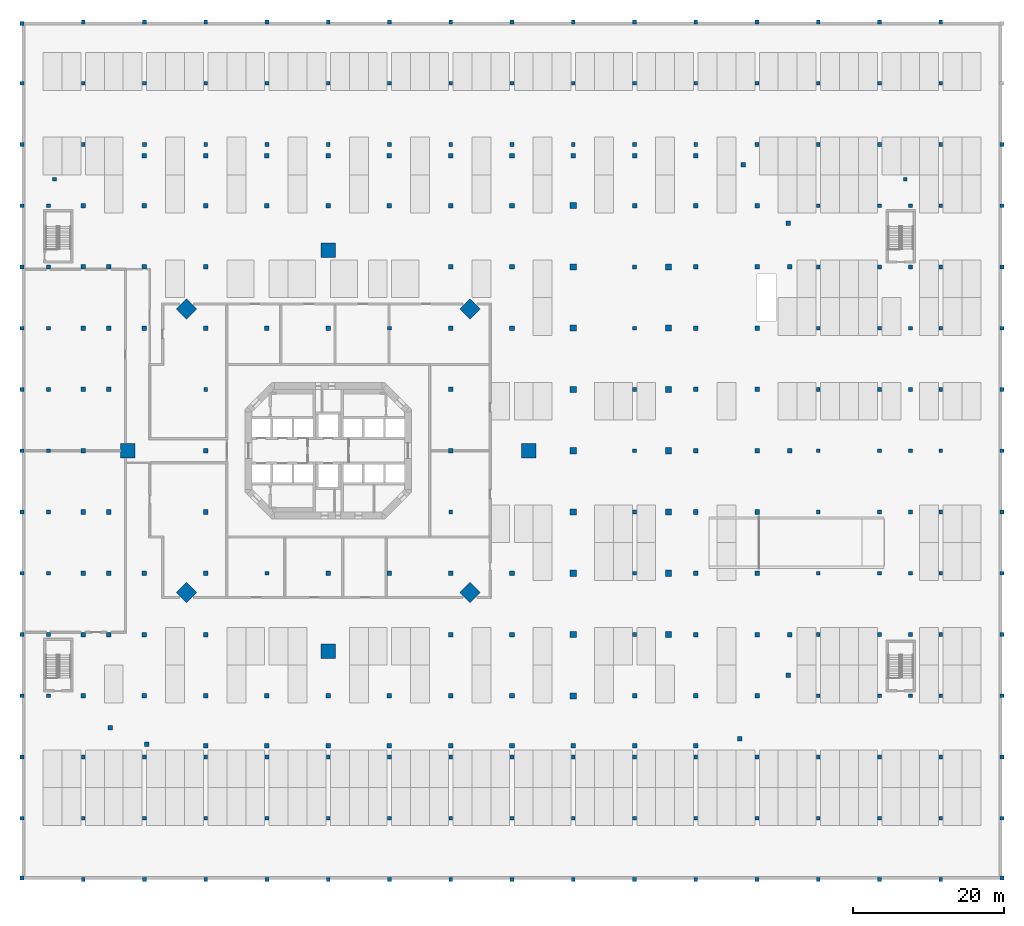
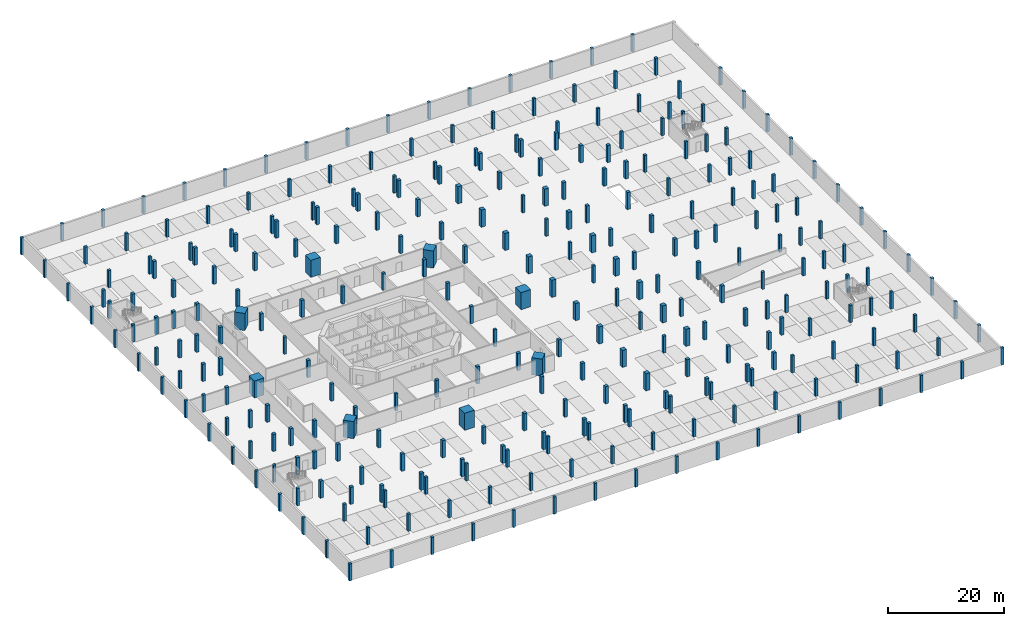
# One storey, part 1 of 14: 301 columns.
"""IFC4 building model written with IfcOpenShell, lengths in metres."""

from ifc_helpers import new_model, si_unit, direction, frame, origin, origin_2d, place, context, subcontext, project, spatial, rectangle, extrude, material, material_profile, profile_set, type_object, element, save


model = new_model("IFC4")

# Units and contexts
model_context = context("Model", 3, precision=1e-05, world=origin(), true_north=direction((0.0, 1.0)))
body_context = subcontext(model_context, "Body", "Model", "MODEL_VIEW")
ifc_project = project(units=[si_unit("LENGTHUNIT", "METRE"), si_unit("AREAUNIT", "SQUARE_METRE"), si_unit("VOLUMEUNIT", "CUBIC_METRE"), si_unit("PLANEANGLEUNIT", "RADIAN"), si_unit("MASSUNIT", "GRAM", prefix="KILO")], contexts=[model_context])

# Site, building, storey
site_placement = place(None, origin())
site = spatial("IfcSite", under=ifc_project, at=site_placement, CompositionType="ELEMENT")
building_placement = place(site_placement, origin())
building = spatial("IfcBuilding", under=site, at=building_placement, Name="Torre Triforio", CompositionType="ELEMENT")
storey_placement = place(building_placement, frame((0.0, 0.0, -7.199951171875)))
storey = spatial("IfcBuildingStorey", under=building, at=storey_placement, Name="B2", CompositionType="ELEMENT", Elevation=-7.199951171875)

# Columns
ifc_material_1 = material(Name="Concrete C50", Category="concrete")
ifc_material_profile_1 = material_profile(ifc_material_1, rectangle(XDim=0.5, YDim=0.5, at=origin_2d()), Name="RC 500x500")
ifc_profile_set_1 = profile_set([ifc_material_profile_1], Name="Concrete C50")
column_type_1 = type_object("IfcColumnType", Name="Column RC 500x500 C50", PredefinedType="COLUMN", material=ifc_profile_set_1)
for number, where, z_axis, x_axis, name in (
    (1, (-40.5, -56.5, 0.0), (0.0, 0.0, 1.0), (1.0, 0.0, 0.0), "COL.G.B2.1-A"),
    (2, (-40.5, -48.60009765625, 0.0), (0.0, 0.0, 1.0), (1.0, 0.0, 0.0), "COL.G.B2.1-B"),
    (3, (-40.5, -40.5, 0.0), (0.0, 0.0, 1.0), (1.0, 0.0, 0.0), "COL.G.B2.1-C"),
    (4, (-40.5, -32.39990234375, 0.0), (0.0, 0.0, 1.0), (1.0, 0.0, 0.0), "COL.G.B2.1-D"),
    (5, (-40.5, -24.300048828125, 0.0), (0.0, 0.0, 1.0), (1.0, 0.0, 0.0), "COL.G.B2.1-E"),
    (6, (-40.5, -16.199951171875, 0.0), (0.0, 0.0, 1.0), (1.0, 0.0, 0.0), "COL.G.B2.1-F"),
    (7, (-40.5, -8.10009765625, 0.0), (0.0, 0.0, 1.0), (1.0, 0.0, 0.0), "COL.G.B2.1-G"),
    (8, (-40.5, 0.0, 0.0), (0.0, 0.0, 1.0), (1.0, 0.0, 0.0), "COL.G.B2.1-H"),
    (9, (-40.5, 8.10009765625, 0.0), (0.0, 0.0, 1.0), (1.0, 0.0, 0.0), "COL.G.B2.1-I"),
    (10, (-40.5, 16.199951171875, 0.0), (0.0, 0.0, 1.0), (1.0, 0.0, 0.0), "COL.G.B2.1-J"),
    (11, (-40.5, 24.300048828125, 0.0), (0.0, 0.0, 1.0), (1.0, 0.0, 0.0), "COL.G.B2.1-K"),
    (12, (-40.5, 32.39990234375, 0.0), (0.0, 0.0, 1.0), (1.0, 0.0, 0.0), "COL.G.B2.1-L"),
    (13, (-40.5, 40.5, 0.0), (0.0, 0.0, 1.0), (1.0, 0.0, 0.0), "COL.G.B2.1-M"),
    (14, (-40.5, 48.60009765625, 0.0), (0.0, 0.0, 1.0), (1.0, 0.0, 0.0), "COL.G.B2.1-N"),
    (15, (-40.5, 56.5, 0.0), (0.0, 0.0, 1.0), (1.0, 0.0, 0.0), "COL.G.B2.1-O"),
    (16, (-32.39990234375, -56.699951171875, 0.0), (0.0, 0.0, 1.0), (1.0, 0.0, 0.0), "COL.G.B2.2-A"),
    (17, (-32.39990234375, -48.60009765625, 0.0), (0.0, 0.0, 1.0), (1.0, 0.0, 0.0), "COL.G.B2.2-B"),
    (18, (-32.39990234375, -40.5, 0.0), (0.0, 0.0, 1.0), (1.0, 0.0, 0.0), "COL.G.B2.2-C"),
    (19, (-32.39990234375, 40.5, 0.0), (0.0, 0.0, 1.0), (1.0, 0.0, 0.0), "COL.G.B2.2-M"),
    (20, (-32.39990234375, 48.60009765625, 0.0), (0.0, 0.0, 1.0), (1.0, 0.0, 0.0), "COL.G.B2.2-N"),
    (21, (-32.39990234375, 56.699951171875, 0.0), (0.0, 0.0, 1.0), (1.0, 0.0, 0.0), "COL.G.B2.2-O"),
    (22, (-24.300048828125, -56.699951171875, 0.0), (0.0, 0.0, 1.0), (1.0, 0.0, 0.0), "COL.G.B2.3-A"),
    (23, (-24.300048828125, -48.60009765625, 0.0), (0.0, 0.0, 1.0), (1.0, 0.0, 0.0), "COL.G.B2.3-B"),
    (24, (-24.300048828125, -40.5, 0.0), (0.0, 0.0, 1.0), (1.0, 0.0, 0.0), "COL.G.B2.3-C"),
    (25, (-24.300048828125, 40.5, 0.0), (0.0, 0.0, 1.0), (1.0, 0.0, 0.0), "COL.G.B2.3-M"),
    (26, (-24.300048828125, 48.60009765625, 0.0), (0.0, 0.0, 1.0), (1.0, 0.0, 0.0), "COL.G.B2.3-N"),
    (27, (-24.300048828125, 56.699951171875, 0.0), (0.0, 0.0, 1.0), (1.0, 0.0, 0.0), "COL.G.B2.3-O"),
    (28, (-16.199951171875, -56.699951171875, 0.0), (0.0, 0.0, 1.0), (1.0, 0.0, 0.0), "COL.G.B2.4-A"),
    (29, (-16.199951171875, -48.60009765625, 0.0), (0.0, 0.0, 1.0), (1.0, 0.0, 0.0), "COL.G.B2.4-B"),
    (30, (-16.199951171875, -40.5, 0.0), (0.0, 0.0, 1.0), (1.0, 0.0, 0.0), "COL.G.B2.4-C"),
    (31, (-16.199951171875, 8.10009765625, 0.0), (0.0, 0.0, 1.0), (1.0, 0.0, 0.0), "COL.G.B2.4-I"),
    (32, (-16.199951171875, 40.5, 0.0), (0.0, 0.0, 1.0), (1.0, 0.0, 0.0), "COL.G.B2.4-M"),
    (33, (-16.199951171875, 48.60009765625, 0.0), (0.0, 0.0, 1.0), (1.0, 0.0, 0.0), "COL.G.B2.4-N"),
    (34, (-16.199951171875, 56.699951171875, 0.0), (0.0, 0.0, 1.0), (1.0, 0.0, 0.0), "COL.G.B2.4-O"),
    (35, (-8.10009765625, -56.699951171875, 0.0), (0.0, 0.0, 1.0), (1.0, 0.0, 0.0), "COL.G.B2.5-A"),
    (36, (-8.10009765625, -48.60009765625, 0.0), (0.0, 0.0, 1.0), (1.0, 0.0, 0.0), "COL.G.B2.5-B"),
    (37, (-8.10009765625, -40.5, 0.0), (0.0, 0.0, 1.0), (1.0, 0.0, 0.0), "COL.G.B2.5-C"),
    (38, (-8.10009765625, -16.199951171875, 0.0), (0.0, 0.0, 1.0), (1.0, 0.0, 0.0), "COL.G.B2.5-F"),
    (39, (-8.10009765625, 40.5, 0.0), (0.0, 0.0, 1.0), (1.0, 0.0, 0.0), "COL.G.B2.5-M"),
    (40, (-8.10009765625, 48.60009765625, 0.0), (0.0, 0.0, 1.0), (1.0, 0.0, 0.0), "COL.G.B2.5-N"),
    (41, (-8.10009765625, 56.699951171875, 0.0), (0.0, 0.0, 1.0), (1.0, 0.0, 0.0), "COL.G.B2.5-O"),
    (42, (0.0, -56.699951171875, 0.0), (0.0, 0.0, 1.0), (1.0, 0.0, 0.0), "COL.G.B2.6-A"),
    (43, (0.0, -48.60009765625, 0.0), (0.0, 0.0, 1.0), (1.0, 0.0, 0.0), "COL.G.B2.6-B"),
    (44, (0.0, -40.5, 0.0), (0.0, 0.0, 1.0), (1.0, 0.0, 0.0), "COL.G.B2.6-C"),
    (45, (0.0, 40.5, 0.0), (0.0, 0.0, 1.0), (1.0, 0.0, 0.0), "COL.G.B2.6-M"),
    (46, (0.0, 48.60009765625, 0.0), (0.0, 0.0, 1.0), (1.0, 0.0, 0.0), "COL.G.B2.6-N"),
    (47, (0.0, 56.699951171875, 0.0), (0.0, 0.0, 1.0), (1.0, 0.0, 0.0), "COL.G.B2.6-O"),
    (48, (8.10009765625, -56.699951171875, 0.0), (0.0, 0.0, 1.0), (1.0, 0.0, 0.0), "COL.G.B2.7-A"),
    (49, (8.10009765625, -48.60009765625, 0.0), (0.0, 0.0, 1.0), (1.0, 0.0, 0.0), "COL.G.B2.7-B"),
    (50, (8.10009765625, -40.5, 0.0), (0.0, 0.0, 1.0), (1.0, 0.0, 0.0), "COL.G.B2.7-C"),
    (51, (8.10009765625, 16.199951171875, 0.0), (0.0, 0.0, 1.0), (1.0, 0.0, 0.0), "COL.G.B2.7-J"),
    (52, (8.10009765625, 40.5, 0.0), (0.0, 0.0, 1.0), (1.0, 0.0, 0.0), "COL.G.B2.7-M"),
    (53, (8.10009765625, 48.60009765625, 0.0), (0.0, 0.0, 1.0), (1.0, 0.0, 0.0), "COL.G.B2.7-N"),
    (54, (8.10009765625, 56.699951171875, 0.0), (0.0, 0.0, 1.0), (1.0, 0.0, 0.0), "COL.G.B2.7-O"),
    (55, (16.199951171875, -56.699951171875, 0.0), (0.0, 0.0, 1.0), (1.0, 0.0, 0.0), "COL.G.B2.8-A"),
    (56, (16.199951171875, -48.60009765625, 0.0), (0.0, 0.0, 1.0), (1.0, 0.0, 0.0), "COL.G.B2.8-B"),
    (57, (16.199951171875, -40.5, 0.0), (0.0, 0.0, 1.0), (1.0, 0.0, 0.0), "COL.G.B2.8-C"),
    (58, (16.199951171875, -8.10009765625, 0.0), (0.0, 0.0, 1.0), (1.0, 0.0, 0.0), "COL.G.B2.8-G"),
    (59, (16.199951171875, 40.5, 0.0), (0.0, 0.0, 1.0), (1.0, 0.0, 0.0), "COL.G.B2.8-M"),
    (60, (16.199951171875, 48.60009765625, 0.0), (0.0, 0.0, 1.0), (1.0, 0.0, 0.0), "COL.G.B2.8-N"),
    (61, (16.199951171875, 56.699951171875, 0.0), (0.0, 0.0, 1.0), (1.0, 0.0, 0.0), "COL.G.B2.8-O"),
    (62, (24.300048828125, -56.699951171875, 0.0), (0.0, 0.0, 1.0), (1.0, 0.0, 0.0), "COL.G.B2.9-A"),
    (63, (24.300048828125, -48.60009765625, 0.0), (0.0, 0.0, 1.0), (1.0, 0.0, 0.0), "COL.G.B2.9-B"),
    (64, (24.300048828125, -40.5, 0.0), (0.0, 0.0, 1.0), (1.0, 0.0, 0.0), "COL.G.B2.9-C"),
    (65, (24.300048828125, 40.5, 0.0), (0.0, 0.0, 1.0), (1.0, 0.0, 0.0), "COL.G.B2.9-M"),
    (66, (24.300048828125, 48.60009765625, 0.0), (0.0, 0.0, 1.0), (1.0, 0.0, 0.0), "COL.G.B2.9-N"),
    (67, (24.300048828125, 56.699951171875, 0.0), (0.0, 0.0, 1.0), (1.0, 0.0, 0.0), "COL.G.B2.9-O"),
    (68, (32.39990234375, -56.699951171875, 0.0), (0.0, 0.0, 1.0), (1.0, 0.0, 0.0), "COL.G.B2.10-A"),
    (69, (32.39990234375, -48.60009765625, 0.0), (0.0, 0.0, 1.0), (1.0, 0.0, 0.0), "COL.G.B2.10-B"),
    (70, (32.39990234375, -40.5, 0.0), (0.0, 0.0, 1.0), (1.0, 0.0, 0.0), "COL.G.B2.10-C"),
    (71, (32.39990234375, 40.5, 0.0), (0.0, 0.0, 1.0), (1.0, 0.0, 0.0), "COL.G.B2.10-M"),
    (72, (32.39990234375, 48.60009765625, 0.0), (0.0, 0.0, 1.0), (1.0, 0.0, 0.0), "COL.G.B2.10-N"),
    (73, (32.39990234375, 56.699951171875, 0.0), (0.0, 0.0, 1.0), (1.0, 0.0, 0.0), "COL.G.B2.10-O"),
    (74, (40.5, -56.699951171875, 0.0), (0.0, 0.0, 1.0), (1.0, 0.0, 0.0), "COL.G.B2.11-A"),
    (75, (40.5, -48.60009765625, 0.0), (0.0, 0.0, 1.0), (1.0, 0.0, 0.0), "COL.G.B2.11-B"),
    (76, (40.5, -40.5, 0.0), (0.0, 0.0, 1.0), (1.0, 0.0, 0.0), "COL.G.B2.11-C"),
    (77, (40.5, -24.300048828125, 0.0), (0.0, 0.0, 1.0), (1.0, 0.0, 0.0), "COL.G.B2.11-E"),
    (78, (40.5, -16.199951171875, 0.0), (0.0, 0.0, 1.0), (1.0, 0.0, 0.0), "COL.G.B2.11-F"),
    (79, (40.5, -8.10009765625, 0.0), (0.0, 0.0, 1.0), (1.0, 0.0, 0.0), "COL.G.B2.11-G"),
    (80, (40.5, 0.0, 0.0), (0.0, 0.0, 1.0), (1.0, 0.0, 0.0), "COL.G.B2.11-H"),
    (81, (40.5, 8.10009765625, 0.0), (0.0, 0.0, 1.0), (1.0, 0.0, 0.0), "COL.G.B2.11-I"),
    (82, (40.5, 16.199951171875, 0.0), (0.0, 0.0, 1.0), (1.0, 0.0, 0.0), "COL.G.B2.11-J"),
    (83, (40.5, 24.300048828125, 0.0), (0.0, 0.0, 1.0), (1.0, 0.0, 0.0), "COL.G.B2.11-K"),
    (84, (40.5, 40.5, 0.0), (0.0, 0.0, 1.0), (1.0, 0.0, 0.0), "COL.G.B2.11-M"),
    (85, (40.5, 48.60009765625, 0.0), (0.0, 0.0, 1.0), (1.0, 0.0, 0.0), "COL.G.B2.11-N"),
    (86, (40.5, 56.699951171875, 0.0), (0.0, 0.0, 1.0), (1.0, 0.0, 0.0), "COL.G.B2.11-O"),
    (87, (48.60009765625, -56.699951171875, 0.0), (0.0, 0.0, 1.0), (1.0, 0.0, 0.0), "COL.G.B2.12-A"),
    (88, (48.60009765625, -48.60009765625, 0.0), (0.0, 0.0, 1.0), (1.0, 0.0, 0.0), "COL.G.B2.12-B"),
    (89, (48.60009765625, -40.5, 0.0), (0.0, 0.0, 1.0), (1.0, 0.0, 0.0), "COL.G.B2.12-C"),
    (90, (48.60009765625, 40.5, 0.0), (0.0, 0.0, 1.0), (1.0, 0.0, 0.0), "COL.G.B2.12-M"),
    (91, (48.60009765625, 48.60009765625, 0.0), (0.0, 0.0, 1.0), (1.0, 0.0, 0.0), "COL.G.B2.12-N"),
    (92, (48.60009765625, 56.699951171875, 0.0), (0.0, 0.0, 1.0), (1.0, 0.0, 0.0), "COL.G.B2.12-O"),
    (93, (56.699951171875, -56.699951171875, 0.0), (0.0, 0.0, 1.0), (1.0, 0.0, 0.0), "COL.G.B2.13-A"),
    (94, (56.699951171875, -48.60009765625, 0.0), (0.0, 0.0, 1.0), (1.0, 0.0, 0.0), "COL.G.B2.13-B"),
    (95, (56.699951171875, -40.5, 0.0), (0.0, 0.0, 1.0), (1.0, 0.0, 0.0), "COL.G.B2.13-C"),
    (96, (56.699951171875, 40.5, 0.0), (0.0, 0.0, 1.0), (1.0, 0.0, 0.0), "COL.G.B2.13-M"),
    (97, (56.699951171875, 48.60009765625, 0.0), (0.0, 0.0, 1.0), (1.0, 0.0, 0.0), "COL.G.B2.13-N"),
    (98, (56.699951171875, 56.699951171875, 0.0), (0.0, 0.0, 1.0), (1.0, 0.0, 0.0), "COL.G.B2.13-O"),
    (99, (64.800048828125, -56.699951171875, 0.0), (0.0, 0.0, 1.0), (1.0, 0.0, 0.0), "COL.G.B2.14-A"),
    (100, (64.800048828125, -48.60009765625, 0.0), (0.0, 0.0, 1.0), (1.0, 0.0, 0.0), "COL.G.B2.14-B"),
    (101, (64.800048828125, -40.5, 0.0), (0.0, 0.0, 1.0), (1.0, 0.0, 0.0), "COL.G.B2.14-C"),
    (102, (64.800048828125, -32.39990234375, 0.0), (0.0, 0.0, 1.0), (1.0, 0.0, 0.0), "COL.G.B2.14-D"),
    (103, (64.800048828125, -24.300048828125, 0.0), (0.0, 0.0, 1.0), (1.0, 0.0, 0.0), "COL.G.B2.14-E"),
    (104, (64.800048828125, -16.199951171875, 0.0), (0.0, 0.0, 1.0), (1.0, 0.0, 0.0), "COL.G.B2.14-F"),
    (105, (64.800048828125, -8.10009765625, 0.0), (0.0, 0.0, 1.0), (1.0, 0.0, 0.0), "COL.G.B2.14-G"),
    (106, (64.800048828125, 0.0, 0.0), (0.0, 0.0, 1.0), (1.0, 0.0, 0.0), "COL.G.B2.14-H"),
    (107, (64.800048828125, 8.10009765625, 0.0), (0.0, 0.0, 1.0), (1.0, 0.0, 0.0), "COL.G.B2.14-I"),
    (108, (64.800048828125, 16.199951171875, 0.0), (0.0, 0.0, 1.0), (1.0, 0.0, 0.0), "COL.G.B2.14-J"),
    (109, (64.800048828125, 24.300048828125, 0.0), (0.0, 0.0, 1.0), (1.0, 0.0, 0.0), "COL.G.B2.14-K"),
    (110, (64.800048828125, 32.39990234375, 0.0), (0.0, 0.0, 1.0), (1.0, 0.0, 0.0), "COL.G.B2.14-L"),
    (111, (64.800048828125, 40.5, 0.0), (0.0, 0.0, 1.0), (1.0, 0.0, 0.0), "COL.G.B2.14-M"),
    (112, (64.800048828125, 48.60009765625, 0.0), (0.0, 0.0, 1.0), (1.0, 0.0, 0.0), "COL.G.B2.14-N"),
    (113, (64.800048828125, 56.699951171875, 0.0), (0.0, 0.0, 1.0), (1.0, 0.0, 0.0), "COL.G.B2.14-O"),
    (114, (72.89990234375, -56.699951171875, 0.0), (0.0, 0.0, 1.0), (1.0, 0.0, 0.0), "COL.G.B2.15-A"),
    (115, (72.89990234375, -48.60009765625, 0.0), (0.0, 0.0, 1.0), (1.0, 0.0, 0.0), "COL.G.B2.15-B"),
    (116, (72.89990234375, -40.5, 0.0), (0.0, 0.0, 1.0), (1.0, 0.0, 0.0), "COL.G.B2.15-C"),
    (117, (72.89990234375, -32.39990234375, 0.0), (0.0, 0.0, 1.0), (1.0, 0.0, 0.0), "COL.G.B2.15-D"),
    (118, (72.89990234375, -24.300048828125, 0.0), (0.0, 0.0, 1.0), (1.0, 0.0, 0.0), "COL.G.B2.15-E"),
    (119, (72.89990234375, -16.199951171875, 0.0), (0.0, 0.0, 1.0), (1.0, 0.0, 0.0), "COL.G.B2.15-F"),
    (120, (72.89990234375, -8.10009765625, 0.0), (0.0, 0.0, 1.0), (1.0, 0.0, 0.0), "COL.G.B2.15-G"),
    (121, (72.89990234375, 0.0, 0.0), (0.0, 0.0, 1.0), (1.0, 0.0, 0.0), "COL.G.B2.15-H"),
    (122, (72.89990234375, 8.10009765625, 0.0), (0.0, 0.0, 1.0), (1.0, 0.0, 0.0), "COL.G.B2.15-I"),
    (123, (72.89990234375, 16.199951171875, 0.0), (0.0, 0.0, 1.0), (1.0, 0.0, 0.0), "COL.G.B2.15-J"),
    (124, (72.89990234375, 24.300048828125, 0.0), (0.0, 0.0, 1.0), (1.0, 0.0, 0.0), "COL.G.B2.15-K"),
    (125, (72.89990234375, 32.39990234375, 0.0), (0.0, 0.0, 1.0), (1.0, 0.0, 0.0), "COL.G.B2.15-L"),
    (126, (72.89990234375, 40.5, 0.0), (0.0, 0.0, 1.0), (1.0, 0.0, 0.0), "COL.G.B2.15-M"),
    (127, (72.89990234375, 48.60009765625, 0.0), (0.0, 0.0, 1.0), (1.0, 0.0, 0.0), "COL.G.B2.15-N"),
    (128, (72.89990234375, 56.699951171875, 0.0), (0.0, 0.0, 1.0), (1.0, 0.0, 0.0), "COL.G.B2.15-O"),
    (129, (81.0, -56.699951171875, 0.0), (0.0, 0.0, 1.0), (1.0, 0.0, 0.0), "COL.G.B2.16-A"),
    (130, (81.0, -48.60009765625, 0.0), (0.0, 0.0, 1.0), (1.0, 0.0, 0.0), "COL.G.B2.16-B"),
    (131, (81.0, -40.5, 0.0), (0.0, 0.0, 1.0), (1.0, 0.0, 0.0), "COL.G.B2.16-C"),
    (132, (81.0, -32.39990234375, 0.0), (0.0, 0.0, 1.0), (1.0, 0.0, 0.0), "COL.G.B2.16-D"),
    (133, (81.0, -24.300048828125, 0.0), (0.0, 0.0, 1.0), (1.0, 0.0, 0.0), "COL.G.B2.16-E"),
    (134, (81.0, -16.199951171875, 0.0), (0.0, 0.0, 1.0), (1.0, 0.0, 0.0), "COL.G.B2.16-F"),
    (135, (81.0, -8.10009765625, 0.0), (0.0, 0.0, 1.0), (1.0, 0.0, 0.0), "COL.G.B2.16-G"),
    (136, (81.0, 0.0, 0.0), (0.0, 0.0, 1.0), (1.0, 0.0, 0.0), "COL.G.B2.16-H"),
    (137, (81.0, 8.10009765625, 0.0), (0.0, 0.0, 1.0), (1.0, 0.0, 0.0), "COL.G.B2.16-I"),
    (138, (81.0, 16.199951171875, 0.0), (0.0, 0.0, 1.0), (1.0, 0.0, 0.0), "COL.G.B2.16-J"),
    (139, (81.0, 24.300048828125, 0.0), (0.0, 0.0, 1.0), (1.0, 0.0, 0.0), "COL.G.B2.16-K"),
    (140, (81.0, 32.39990234375, 0.0), (0.0, 0.0, 1.0), (1.0, 0.0, 0.0), "COL.G.B2.16-L"),
    (141, (81.0, 40.5, 0.0), (0.0, 0.0, 1.0), (1.0, 0.0, 0.0), "COL.G.B2.16-M"),
    (142, (81.0, 48.60009765625, 0.0), (0.0, 0.0, 1.0), (1.0, 0.0, 0.0), "COL.G.B2.16-N"),
    (143, (81.0, 56.699951171875, 0.0), (0.0, 0.0, 1.0), (1.0, 0.0, 0.0), "COL.G.B2.16-O"),
    (144, (89.10009765625, -56.5, 0.0), (0.0, 0.0, 1.0), (1.0, 0.0, 0.0), "COL.G.B2.17-A"),
    (145, (89.10009765625, -48.60009765625, 0.0), (0.0, 0.0, 1.0), (1.0, 0.0, 0.0), "COL.G.B2.17-B"),
    (146, (89.10009765625, -40.5, 0.0), (0.0, 0.0, 1.0), (1.0, 0.0, 0.0), "COL.G.B2.17-C"),
    (147, (89.10009765625, -32.39990234375, 0.0), (0.0, 0.0, 1.0), (1.0, 0.0, 0.0), "COL.G.B2.17-D"),
    (148, (89.10009765625, -24.300048828125, 0.0), (0.0, 0.0, 1.0), (1.0, 0.0, 0.0), "COL.G.B2.17-E"),
    (149, (89.10009765625, -16.199951171875, 0.0), (0.0, 0.0, 1.0), (1.0, 0.0, 0.0), "COL.G.B2.17-F"),
    (150, (89.10009765625, -8.10009765625, 0.0), (0.0, 0.0, 1.0), (1.0, 0.0, 0.0), "COL.G.B2.17-G"),
    (151, (89.10009765625, 0.0, 0.0), (0.0, 0.0, 1.0), (1.0, 0.0, 0.0), "COL.G.B2.17-H"),
    (152, (89.10009765625, 8.10009765625, 0.0), (0.0, 0.0, 1.0), (1.0, 0.0, 0.0), "COL.G.B2.17-I"),
    (153, (89.10009765625, 16.199951171875, 0.0), (0.0, 0.0, 1.0), (1.0, 0.0, 0.0), "COL.G.B2.17-J"),
    (154, (89.10009765625, 24.300048828125, 0.0), (0.0, 0.0, 1.0), (1.0, 0.0, 0.0), "COL.G.B2.17-K"),
    (155, (89.10009765625, 32.39990234375, 0.0), (0.0, 0.0, 1.0), (1.0, 0.0, 0.0), "COL.G.B2.17-L"),
    (156, (89.10009765625, 40.5, 0.0), (0.0, 0.0, 1.0), (1.0, 0.0, 0.0), "COL.G.B2.17-M"),
    (157, (-37.0, 24.300048828125, 0.0), (0.0, 0.0, 1.0), (1.0, 0.0, 0.0), "COL.E.B2.ED-35"),
    (158, (-37.0, 16.199951171875, 0.0), (0.0, 0.0, 1.0), (1.0, 0.0, 0.0), "COL.E.B2.ED-36"),
    (159, (-37.0, 8.10009765625, 0.0), (0.0, 0.0, 1.0), (1.0, 0.0, 0.0), "COL.E.B2.ED-37"),
    (160, (-37.0, 0.0, 0.0), (0.0, 0.0, 1.0), (1.0, 0.0, 0.0), "COL.E.B2.ED-38"),
    (161, (-37.0, -32.39990234375, 0.0), (0.0, 0.0, 1.0), (1.0, 0.0, 0.0), "COL.E.B2.ED-39"),
    (162, (-37.0, -8.10009765625, 0.0), (0.0, 0.0, 1.0), (1.0, 0.0, 0.0), "COL.E.B2.ED-40"),
    (163, (-37.0, -24.300048828125, 0.0), (0.0, 0.0, 1.0), (1.0, 0.0, 0.0), "COL.E.B2.ED-41"),
    (164, (77.0, 16.199951171875, 0.0), (0.0, 0.0, 1.0), (1.0, 0.0, 0.0), "COL.E.B2.ED-42"),
    (165, (77.0, 24.300048828125, 0.0), (0.0, 0.0, 1.0), (1.0, 0.0, 0.0), "COL.E.B2.ED-43"),
    (166, (77.0, 8.10009765625, 0.0), (0.0, 0.0, 1.0), (1.0, 0.0, 0.0), "COL.E.B2.ED-44"),
    (167, (77.0, 0.0, 0.0), (0.0, 0.0, 1.0), (1.0, 0.0, 0.0), "COL.E.B2.ED-45"),
    (168, (77.0, -8.10009765625, 0.0), (0.0, 0.0, 1.0), (1.0, 0.0, 0.0), "COL.E.B2.ED-46"),
    (169, (77.0, -16.199951171875, 0.0), (0.0, 0.0, 1.0), (1.0, 0.0, 0.0), "COL.E.B2.ED-47"),
    (170, (77.0, -32.39990234375, 0.0), (0.0, 0.0, 1.0), (1.0, 0.0, 0.0), "COL.E.B2.ED-48"),
    (171, (-36.199951171875, 35.89990234375, 0.0), (0.0, 0.0, 1.0), (1.0, 0.0, 0.0), "COL.E.B2.ED-49"),
    (172, (-37.0, 32.39990234375, 0.0), (0.0, 0.0, 1.0), (1.0, 0.0, 0.0), "COL.E.B2.ED-50"),
    (173, (-37.0, -16.199951171875, 0.0), (0.0, 0.0, 1.0), (1.0, 0.0, 0.0), "COL.E.B2.ED-51"),
    (174, (76.300048828125, 35.89990234375, 0.0), (0.0, 0.0, 1.0), (1.0, 0.0, 0.0), "COL.E.B2.ED-52"),
    (175, (77.0, -24.300048828125, 0.0), (0.0, 0.0, 1.0), (1.0, 0.0, 0.0), "COL.E.B2.ED-53"),
    (176, (77.0, 32.39990234375, 0.0), (0.0, 0.0, 1.0), (1.0, 0.0, 0.0), "COL.E.B2.ED-54"),
):
    element("IfcColumn", number, at=place(storey_placement, frame(where, z_axis=z_axis, x_axis=x_axis)), inside=storey, type_object=column_type_1, Name=name, PredefinedType="COLUMN", context=body_context, shape_type="SweptSolid", body=[
        extrude(rectangle(XDim=0.5, YDim=0.5, at=origin_2d()), origin(), (0.0, 0.0, 1.0), 3.599853515625),
    ])
ifc_material_profile_2 = material_profile(ifc_material_1, rectangle(XDim=0.60009765625, YDim=0.60009765625, at=origin_2d()), Name="RC 600x600")
ifc_profile_set_2 = profile_set([ifc_material_profile_2], Name="Concrete C50")
column_type_2 = type_object("IfcColumnType", Name="Column RC 600x600 C50", PredefinedType="COLUMN", material=ifc_profile_set_2)
for number, where, z_axis, x_axis, name in (
    (177, (-32.39990234375, -32.39990234375, 0.0), (0.0, 0.0, 1.0), (1.0, 0.0, 0.0), "COL.G.B2.2-D"),
    (178, (-32.39990234375, -24.300048828125, 0.0), (0.0, 0.0, 1.0), (1.0, 0.0, 0.0), "COL.G.B2.2-E"),
    (179, (-32.39990234375, -16.199951171875, 0.0), (0.0, 0.0, 1.0), (1.0, 0.0, 0.0), "COL.G.B2.2-F"),
    (180, (-32.39990234375, -8.10009765625, 0.0), (0.0, 0.0, 1.0), (1.0, 0.0, 0.0), "COL.G.B2.2-G"),
    (181, (-32.39990234375, 0.0, 0.0), (0.0, 0.0, 1.0), (1.0, 0.0, 0.0), "COL.G.B2.2-H"),
    (182, (-32.39990234375, 8.10009765625, 0.0), (0.0, 0.0, 1.0), (1.0, 0.0, 0.0), "COL.G.B2.2-I"),
    (183, (-32.39990234375, 16.199951171875, 0.0), (0.0, 0.0, 1.0), (1.0, 0.0, 0.0), "COL.G.B2.2-J"),
    (184, (-32.39990234375, 24.300048828125, 0.0), (0.0, 0.0, 1.0), (1.0, 0.0, 0.0), "COL.G.B2.2-K"),
    (185, (-32.39990234375, 32.39990234375, 0.0), (0.0, 0.0, 1.0), (1.0, 0.0, 0.0), "COL.G.B2.2-L"),
    (186, (-24.300048828125, -32.39990234375, 0.0), (0.0, 0.0, 1.0), (1.0, 0.0, 0.0), "COL.G.B2.3-D"),
    (187, (-24.300048828125, -24.300048828125, 0.0), (0.0, 0.0, 1.0), (1.0, 0.0, 0.0), "COL.G.B2.3-E"),
    (188, (-24.300048828125, -16.199951171875, 0.0), (0.0, 0.0, 1.0), (1.0, 0.0, 0.0), "COL.G.B2.3-F"),
    (189, (-24.300048828125, 16.199951171875, 0.0), (0.0, 0.0, 1.0), (1.0, 0.0, 0.0), "COL.G.B2.3-J"),
    (190, (-24.300048828125, 24.300048828125, 0.0), (0.0, 0.0, 1.0), (1.0, 0.0, 0.0), "COL.G.B2.3-K"),
    (191, (-24.300048828125, 32.39990234375, 0.0), (0.0, 0.0, 1.0), (1.0, 0.0, 0.0), "COL.G.B2.3-L"),
    (192, (-16.199951171875, -32.39990234375, 0.0), (0.0, 0.0, 1.0), (1.0, 0.0, 0.0), "COL.G.B2.4-D"),
    (193, (-16.199951171875, -24.300048828125, 0.0), (0.0, 0.0, 1.0), (1.0, 0.0, 0.0), "COL.G.B2.4-E"),
    (194, (-16.199951171875, -16.199951171875, 0.0), (0.0, 0.0, 1.0), (1.0, 0.0, 0.0), "COL.G.B2.4-F"),
    (195, (-16.199951171875, -8.10009765625, 0.0), (0.0, 0.0, 1.0), (1.0, 0.0, 0.0), "COL.G.B2.4-G"),
    (196, (-16.199951171875, 0.0, 0.0), (0.0, 0.0, 1.0), (1.0, 0.0, 0.0), "COL.G.B2.4-H"),
    (197, (-16.199951171875, 16.199951171875, 0.0), (0.0, 0.0, 1.0), (1.0, 0.0, 0.0), "COL.G.B2.4-J"),
    (198, (-16.199951171875, 24.300048828125, 0.0), (0.0, 0.0, 1.0), (1.0, 0.0, 0.0), "COL.G.B2.4-K"),
    (199, (-16.199951171875, 32.39990234375, 0.0), (0.0, 0.0, 1.0), (1.0, 0.0, 0.0), "COL.G.B2.4-L"),
    (200, (-8.10009765625, -32.39990234375, 0.0), (0.0, 0.0, 1.0), (1.0, 0.0, 0.0), "COL.G.B2.5-D"),
    (201, (-8.10009765625, 16.199951171875, 0.0), (0.0, 0.0, 1.0), (1.0, 0.0, 0.0), "COL.G.B2.5-J"),
    (202, (-8.10009765625, 32.39990234375, 0.0), (0.0, 0.0, 1.0), (1.0, 0.0, 0.0), "COL.G.B2.5-L"),
    (203, (0.0, -32.39990234375, 0.0), (0.0, 0.0, 1.0), (1.0, 0.0, 0.0), "COL.G.B2.6-D"),
    (204, (0.0, -16.199951171875, 0.0), (0.0, 0.0, 1.0), (1.0, 0.0, 0.0), "COL.G.B2.6-F"),
    (205, (0.0, 16.199951171875, 0.0), (0.0, 0.0, 1.0), (1.0, 0.0, 0.0), "COL.G.B2.6-J"),
    (206, (0.0, 32.39990234375, 0.0), (0.0, 0.0, 1.0), (1.0, 0.0, 0.0), "COL.G.B2.6-L"),
    (207, (8.10009765625, -32.39990234375, 0.0), (0.0, 0.0, 1.0), (1.0, 0.0, 0.0), "COL.G.B2.7-D"),
    (208, (8.10009765625, -16.199951171875, 0.0), (0.0, 0.0, 1.0), (1.0, 0.0, 0.0), "COL.G.B2.7-F"),
    (209, (8.10009765625, 32.39990234375, 0.0), (0.0, 0.0, 1.0), (1.0, 0.0, 0.0), "COL.G.B2.7-L"),
    (210, (16.199951171875, -32.39990234375, 0.0), (0.0, 0.0, 1.0), (1.0, 0.0, 0.0), "COL.G.B2.8-D"),
    (211, (16.199951171875, -24.300048828125, 0.0), (0.0, 0.0, 1.0), (1.0, 0.0, 0.0), "COL.G.B2.8-E"),
    (212, (16.199951171875, -16.199951171875, 0.0), (0.0, 0.0, 1.0), (1.0, 0.0, 0.0), "COL.G.B2.8-F"),
    (213, (16.199951171875, 0.0, 0.0), (0.0, 0.0, 1.0), (1.0, 0.0, 0.0), "COL.G.B2.8-H"),
    (214, (16.199951171875, 8.10009765625, 0.0), (0.0, 0.0, 1.0), (1.0, 0.0, 0.0), "COL.G.B2.8-I"),
    (215, (16.199951171875, 16.199951171875, 0.0), (0.0, 0.0, 1.0), (1.0, 0.0, 0.0), "COL.G.B2.8-J"),
    (216, (16.199951171875, 24.300048828125, 0.0), (0.0, 0.0, 1.0), (1.0, 0.0, 0.0), "COL.G.B2.8-K"),
    (217, (16.199951171875, 32.39990234375, 0.0), (0.0, 0.0, 1.0), (1.0, 0.0, 0.0), "COL.G.B2.8-L"),
    (218, (24.300048828125, -32.39990234375, 0.0), (0.0, 0.0, 1.0), (1.0, 0.0, 0.0), "COL.G.B2.9-D"),
    (219, (24.300048828125, -24.300048828125, 0.0), (0.0, 0.0, 1.0), (1.0, 0.0, 0.0), "COL.G.B2.9-E"),
    (220, (24.300048828125, -16.199951171875, 0.0), (0.0, 0.0, 1.0), (1.0, 0.0, 0.0), "COL.G.B2.9-F"),
    (221, (24.300048828125, 16.199951171875, 0.0), (0.0, 0.0, 1.0), (1.0, 0.0, 0.0), "COL.G.B2.9-J"),
    (222, (24.300048828125, 24.300048828125, 0.0), (0.0, 0.0, 1.0), (1.0, 0.0, 0.0), "COL.G.B2.9-K"),
    (223, (24.300048828125, 32.39990234375, 0.0), (0.0, 0.0, 1.0), (1.0, 0.0, 0.0), "COL.G.B2.9-L"),
    (224, (40.5, -32.39990234375, 0.0), (0.0, 0.0, 1.0), (1.0, 0.0, 0.0), "COL.G.B2.11-D"),
    (225, (40.5, 32.39990234375, 0.0), (0.0, 0.0, 1.0), (1.0, 0.0, 0.0), "COL.G.B2.11-L"),
    (226, (48.60009765625, -32.39990234375, 0.0), (0.0, 0.0, 1.0), (1.0, 0.0, 0.0), "COL.G.B2.12-D"),
    (227, (48.60009765625, -24.300048828125, 0.0), (0.0, 0.0, 1.0), (1.0, 0.0, 0.0), "COL.G.B2.12-E"),
    (228, (48.60009765625, -16.199951171875, 0.0), (0.0, 0.0, 1.0), (1.0, 0.0, 0.0), "COL.G.B2.12-F"),
    (229, (48.60009765625, -8.10009765625, 0.0), (0.0, 0.0, 1.0), (1.0, 0.0, 0.0), "COL.G.B2.12-G"),
    (230, (48.60009765625, 0.0, 0.0), (0.0, 0.0, 1.0), (1.0, 0.0, 0.0), "COL.G.B2.12-H"),
    (231, (48.60009765625, 8.10009765625, 0.0), (0.0, 0.0, 1.0), (1.0, 0.0, 0.0), "COL.G.B2.12-I"),
    (232, (48.60009765625, 16.199951171875, 0.0), (0.0, 0.0, 1.0), (1.0, 0.0, 0.0), "COL.G.B2.12-J"),
    (233, (48.60009765625, 24.300048828125, 0.0), (0.0, 0.0, 1.0), (1.0, 0.0, 0.0), "COL.G.B2.12-K"),
    (234, (48.60009765625, 32.39990234375, 0.0), (0.0, 0.0, 1.0), (1.0, 0.0, 0.0), "COL.G.B2.12-L"),
    (235, (56.699951171875, -32.39990234375, 0.0), (0.0, 0.0, 1.0), (1.0, 0.0, 0.0), "COL.G.B2.13-D"),
    (236, (56.699951171875, -24.300048828125, 0.0), (0.0, 0.0, 1.0), (1.0, 0.0, 0.0), "COL.G.B2.13-E"),
    (237, (56.699951171875, -16.199951171875, 0.0), (0.0, 0.0, 1.0), (1.0, 0.0, 0.0), "COL.G.B2.13-F"),
    (238, (56.699951171875, -8.10009765625, 0.0), (0.0, 0.0, 1.0), (1.0, 0.0, 0.0), "COL.G.B2.13-G"),
    (239, (56.699951171875, 0.0, 0.0), (0.0, 0.0, 1.0), (1.0, 0.0, 0.0), "COL.G.B2.13-H"),
    (240, (56.699951171875, 8.10009765625, 0.0), (0.0, 0.0, 1.0), (1.0, 0.0, 0.0), "COL.G.B2.13-I"),
    (241, (56.699951171875, 16.199951171875, 0.0), (0.0, 0.0, 1.0), (1.0, 0.0, 0.0), "COL.G.B2.13-J"),
    (242, (56.699951171875, 24.300048828125, 0.0), (0.0, 0.0, 1.0), (1.0, 0.0, 0.0), "COL.G.B2.13-K"),
    (243, (56.699951171875, 32.39990234375, 0.0), (0.0, 0.0, 1.0), (1.0, 0.0, 0.0), "COL.G.B2.13-L"),
    (244, (-29.0, 24.300048828125, 0.0), (0.0, 0.0, 1.0), (1.0, 0.0, 0.0), "COL.E.B2.ED-01"),
    (245, (-29.0, 16.199951171875, 0.0), (0.0, 0.0, 1.0), (1.0, 0.0, 0.0), "COL.E.B2.ED-02"),
    (246, (-29.0, -24.300048828125, 0.0), (0.0, 0.0, 1.0), (1.0, 0.0, 0.0), "COL.E.B2.ED-03"),
    (247, (-29.0, -16.199951171875, 0.0), (0.0, 0.0, 1.0), (1.0, 0.0, 0.0), "COL.E.B2.ED-04"),
    (248, (-29.0, 8.10009765625, 0.0), (0.0, 0.0, 1.0), (1.0, 0.0, 0.0), "COL.E.B2.ED-05"),
    (249, (-29.0, -8.10009765625, 0.0), (0.0, 0.0, 1.0), (1.0, 0.0, 0.0), "COL.E.B2.ED-06"),
    (250, (0.0, -39.0, 0.0), (0.0, 0.0, 1.0), (1.0, 0.0, 0.0), "COL.E.B2.ED-07"),
    (251, (48.60009765625, 39.0, 0.0), (0.0, 0.0, 1.0), (1.0, 0.0, 0.0), "COL.E.B2.ED-08"),
    (252, (-8.10009765625, -39.0, 0.0), (0.0, 0.0, 1.0), (1.0, 0.0, 0.0), "COL.E.B2.ED-09"),
    (253, (40.5, 39.0, 0.0), (0.0, 0.0, 1.0), (1.0, 0.0, 0.0), "COL.E.B2.ED-10"),
    (254, (8.10009765625, -39.0, 0.0), (0.0, 0.0, 1.0), (1.0, 0.0, 0.0), "COL.E.B2.ED-11"),
    (255, (-16.199951171875, -39.0, 0.0), (0.0, 0.0, 1.0), (1.0, 0.0, 0.0), "COL.E.B2.ED-12"),
    (256, (32.39990234375, 39.0, 0.0), (0.0, 0.0, 1.0), (1.0, 0.0, 0.0), "COL.E.B2.ED-13"),
    (257, (-24.300048828125, 39.0, 0.0), (0.0, 0.0, 1.0), (1.0, 0.0, 0.0), "COL.E.B2.ED-14"),
    (258, (16.199951171875, -39.0, 0.0), (0.0, 0.0, 1.0), (1.0, 0.0, 0.0), "COL.E.B2.ED-15"),
    (259, (24.300048828125, 39.0, 0.0), (0.0, 0.0, 1.0), (1.0, 0.0, 0.0), "COL.E.B2.ED-16"),
    (260, (-16.199951171875, 39.0, 0.0), (0.0, 0.0, 1.0), (1.0, 0.0, 0.0), "COL.E.B2.ED-17"),
    (261, (24.300048828125, -39.0, 0.0), (0.0, 0.0, 1.0), (1.0, 0.0, 0.0), "COL.E.B2.ED-18"),
    (262, (16.199951171875, 39.0, 0.0), (0.0, 0.0, 1.0), (1.0, 0.0, 0.0), "COL.E.B2.ED-19"),
    (263, (-8.10009765625, 39.0, 0.0), (0.0, 0.0, 1.0), (1.0, 0.0, 0.0), "COL.E.B2.ED-20"),
    (264, (48.60009765625, -39.0, 0.0), (0.0, 0.0, 1.0), (1.0, 0.0, 0.0), "COL.E.B2.ED-21"),
    (265, (32.39990234375, -39.0, 0.0), (0.0, 0.0, 1.0), (1.0, 0.0, 0.0), "COL.E.B2.ED-22"),
    (266, (8.10009765625, 39.0, 0.0), (0.0, 0.0, 1.0), (1.0, 0.0, 0.0), "COL.E.B2.ED-23"),
    (267, (0.0, 39.0, 0.0), (0.0, 0.0, 1.0), (1.0, 0.0, 0.0), "COL.E.B2.ED-24"),
    (268, (40.5, -39.0, 0.0), (0.0, 0.0, 1.0), (1.0, 0.0, 0.0), "COL.E.B2.ED-25"),
    (269, (-24.0, -38.800048828125, 0.0), (0.0, 0.0, 1.0), (1.0, 0.0, 0.0), "COL.E.B2.ED-26"),
    (270, (61.0, 24.300048828125, 0.0), (0.0, 0.0, 1.0), (1.0, 0.0, 0.0), "COL.E.B2.ED-27"),
    (271, (61.0, 0.0, 0.0), (0.0, 0.0, 1.0), (1.0, 0.0, 0.0), "COL.E.B2.ED-28"),
    (272, (54.89990234375, 37.800048828125, 0.0), (0.0, 0.0, 1.0), (1.0, 0.0, 0.0), "COL.E.B2.ED-29"),
    (273, (61.0, -24.300048828125, 0.0), (0.0, 0.0, 1.0), (1.0, 0.0, 0.0), "COL.E.B2.ED-30"),
    (274, (54.39990234375, -38.10009765625, 0.0), (0.0, 0.0, 1.0), (1.0, 0.0, 0.0), "COL.E.B2.ED-31"),
    (275, (-28.800048828125, -36.60009765625, 0.0), (0.0, 0.0, 1.0), (1.0, 0.0, 0.0), "COL.E.B2.ED-32"),
    (276, (60.800048828125, -29.699951171875, 0.0), (0.0, 0.0, 1.0), (1.0, 0.0, 0.0), "COL.E.B2.ED-33"),
    (277, (60.800048828125, 30.10009765625, 0.0), (0.0, 0.0, 1.0), (1.0, 0.0, 0.0), "COL.E.B2.ED-34"),
):
    element("IfcColumn", number, at=place(storey_placement, frame(where, z_axis=z_axis, x_axis=x_axis)), inside=storey, type_object=column_type_2, Name=name, PredefinedType="COLUMN", context=body_context, shape_type="SweptSolid", body=[
        extrude(rectangle(XDim=0.60009765625, YDim=0.60009765625, at=origin_2d()), origin(), (0.0, 0.0, 1.0), 3.599853515625),
    ])
ifc_material_profile_3 = material_profile(ifc_material_1, rectangle(XDim=0.800048828125, YDim=0.800048828125, at=origin_2d()), Name="RC 800x800")
ifc_profile_set_3 = profile_set([ifc_material_profile_3], Name="Concrete C50")
column_type_3 = type_object("IfcColumnType", Name="Column RC 800x800 C50", PredefinedType="COLUMN", material=ifc_profile_set_3)
for number, where, z_axis, x_axis, name in (
    (278, (32.39990234375, -32.39990234375, 0.0), (0.0, 0.0, 1.0), (1.0, 0.0, 0.0), "COL.G.B2.10-D"),
    (279, (32.39990234375, -24.300048828125, 0.0), (0.0, 0.0, 1.0), (1.0, 0.0, 0.0), "COL.G.B2.10-E"),
    (280, (32.39990234375, -16.199951171875, 0.0), (0.0, 0.0, 1.0), (1.0, 0.0, 0.0), "COL.G.B2.10-F"),
    (281, (32.39990234375, -8.10009765625, 0.0), (0.0, 0.0, 1.0), (1.0, 0.0, 0.0), "COL.G.B2.10-G"),
    (282, (32.39990234375, 0.0, 0.0), (0.0, 0.0, 1.0), (1.0, 0.0, 0.0), "COL.G.B2.10-H"),
    (283, (32.39990234375, 8.10009765625, 0.0), (0.0, 0.0, 1.0), (1.0, 0.0, 0.0), "COL.G.B2.10-I"),
    (284, (32.39990234375, 16.199951171875, 0.0), (0.0, 0.0, 1.0), (1.0, 0.0, 0.0), "COL.G.B2.10-J"),
    (285, (32.39990234375, 24.300048828125, 0.0), (0.0, 0.0, 1.0), (1.0, 0.0, 0.0), "COL.G.B2.10-K"),
    (286, (32.39990234375, 32.39990234375, 0.0), (0.0, 0.0, 1.0), (1.0, 0.0, 0.0), "COL.G.B2.10-L"),
    (287, (45.0, -24.300048828125, 0.0), (0.0, 0.0, 1.0), (1.0, 0.0, 0.0), "COL.E.B2.EL-E"),
    (288, (45.0, -16.199951171875, 0.0), (0.0, 0.0, 1.0), (1.0, 0.0, 0.0), "COL.E.B2.EL-F"),
    (289, (45.0, -8.10009765625, 0.0), (0.0, 0.0, 1.0), (1.0, 0.0, 0.0), "COL.E.B2.EL-G"),
    (290, (45.0, 0.0, 0.0), (0.0, 0.0, 1.0), (1.0, 0.0, 0.0), "COL.E.B2.EL-H"),
    (291, (45.0, 8.10009765625, 0.0), (0.0, 0.0, 1.0), (1.0, 0.0, 0.0), "COL.E.B2.EL-I"),
    (292, (45.0, 16.199951171875, 0.0), (0.0, 0.0, 1.0), (1.0, 0.0, 0.0), "COL.E.B2.EL-J"),
    (293, (45.0, 24.300048828125, 0.0), (0.0, 0.0, 1.0), (1.0, 0.0, 0.0), "COL.E.B2.EL-K"),
):
    element("IfcColumn", number, at=place(storey_placement, frame(where, z_axis=z_axis, x_axis=x_axis)), inside=storey, type_object=column_type_3, Name=name, PredefinedType="COLUMN", context=body_context, shape_type="SweptSolid", body=[
        extrude(rectangle(XDim=0.800048828125, YDim=0.800048828125, at=origin_2d()), origin(), (0.0, 0.0, 1.0), 3.599853515625),
    ])
ifc_material_2 = material(Name="Concrete C70", Category="concrete")
ifc_material_profile_4 = material_profile(ifc_material_2, rectangle(XDim=1.89990234375, YDim=1.89990234375, at=origin_2d()), Name="RC 1900x1900")
ifc_profile_set_4 = profile_set([ifc_material_profile_4], Name="Concrete C70")
column_type_4 = type_object("IfcColumnType", Name="Mega column RC 1900x1900 C70", PredefinedType="COLUMN", material=ifc_profile_set_4)
for number, where, z_axis, x_axis, name in (
    (294, (26.5, 0.0, 0.0), (0.0, 0.0, 1.0), (0.0, 1.0, 0.0), "COL.R.B2.00"),
    (295, (18.73828125, 18.73828125, 0.0), (0.0, 0.0, 1.0), (-0.707106781187, 0.707106781187, 0.0), "COL.R.B2.03"),
    (296, (0.0, 26.5, 0.0), (0.0, 0.0, 1.0), (-1.0, 0.0, 0.0), "COL.R.B2.06"),
    (297, (-18.73828125, 18.73828125, 0.0), (0.0, 0.0, 1.0), (-0.707106781187, -0.707106781187, 0.0), "COL.R.B2.09"),
    (298, (-26.5, 0.0, 0.0), (0.0, 0.0, 1.0), (0.0, -1.0, 0.0), "COL.R.B2.12"),
    (299, (-18.73828125, -18.73828125, 0.0), (0.0, 0.0, 1.0), (0.707106781187, -0.707106781187, 0.0), "COL.R.B2.15"),
    (300, (0.0, -26.5, 0.0), (0.0, 0.0, 1.0), (1.0, 0.0, 0.0), "COL.R.B2.18"),
    (301, (18.73828125, -18.73828125, 0.0), (0.0, 0.0, 1.0), (0.707106781187, 0.707106781187, 0.0), "COL.R.B2.21"),
):
    element("IfcColumn", number, at=place(storey_placement, frame(where, z_axis=z_axis, x_axis=x_axis)), inside=storey, type_object=column_type_4, Name=name, PredefinedType="COLUMN", context=body_context, shape_type="SweptSolid", body=[
        extrude(rectangle(XDim=1.89990234375, YDim=1.89990234375, at=origin_2d()), origin(), (0.0, 0.0, 1.0), 3.599853515625),
    ])

save(model, "model.ifc")
